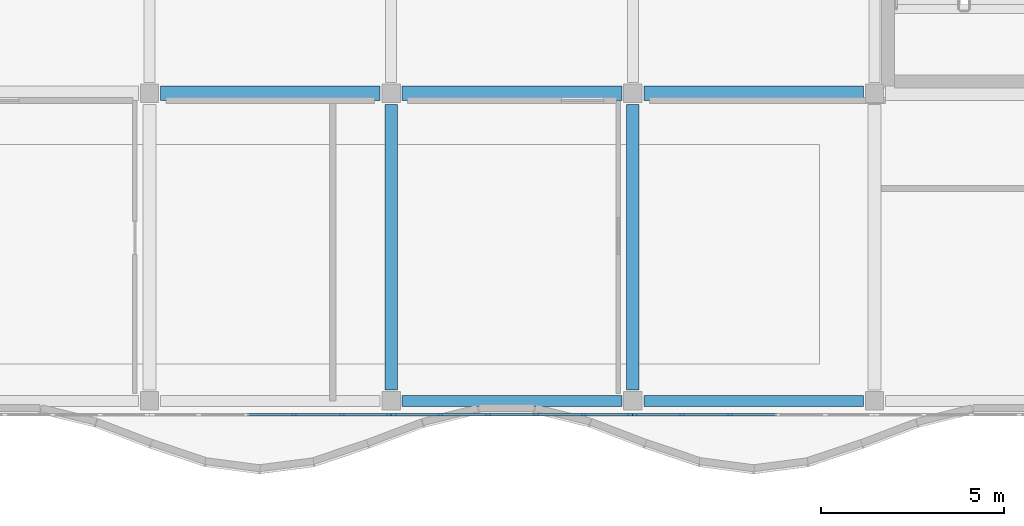
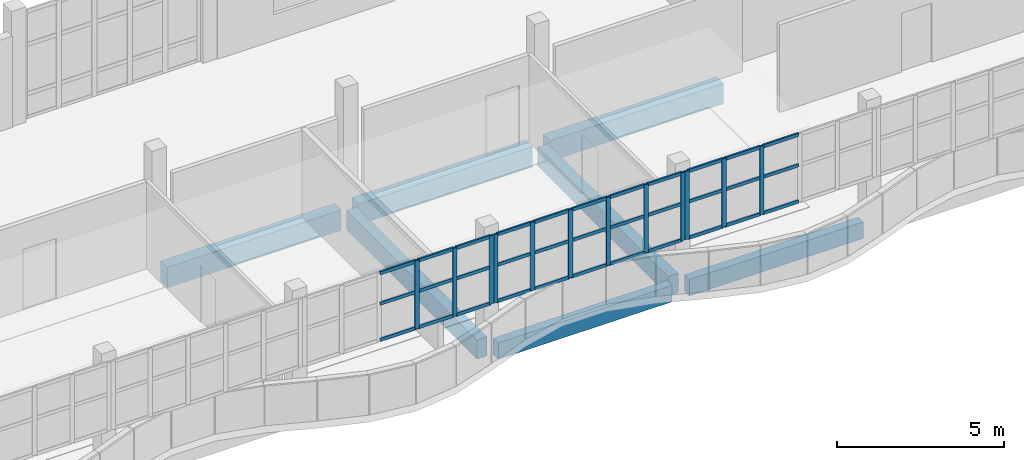
# One storey, part 21 of 78: 45 members, 7 beams, 3 elements without a shape of their own.
"""IFC4 building model written with IfcOpenShell, lengths in metres."""

import ifcopenshell
import ifcopenshell.guid

model = None  # the IFC model being written
_history = None  # IfcOwnerHistory: only IFC2X3 demands one
_inside = {}  # id of a spatial element -> (the spatial element, [elements in it])
_under = {}  # id of a project, library or spatial element -> (it, [spatial elements below it])
_declared = {}  # id of a project -> (the project, [libraries it declares])
_typed = {}  # id of a type object -> (the type object, [elements of that type])
_made_of = {}  # id of a material, layer set ... -> (it, [elements and type objects made of it])


def new_model(schema):
    """Start an empty IFC model of exactly this schema.

    Asked for "IFC4X3", IfcOpenShell would pick the latest addendum, in which some entities
    have other attributes; the version numbers below select the first issue.
    IFC2X3 requires an IfcOwnerHistory on every rooted entity: one is made here for all.
    """
    global model, _history
    if schema == "IFC4X3":
        model = ifcopenshell.file(schema_version=(4, 3, 0, 0))
    else:
        model = ifcopenshell.file(schema=schema)
    _inside.clear()
    _under.clear()
    _declared.clear()
    _typed.clear()
    _made_of.clear()
    _history = None
    if model.schema == "IFC2X3":
        org = make("IfcOrganization", Name="unknown")
        user = make(
            "IfcPersonAndOrganization",
            ThePerson=make("IfcPerson", FamilyName="unknown"),
            TheOrganization=org,
        )
        app = make(
            "IfcApplication",
            ApplicationDeveloper=org,
            Version="unknown",
            ApplicationFullName="unknown",
            ApplicationIdentifier="unknown",
        )
        _history = make(
            "IfcOwnerHistory",
            OwningUser=user,
            OwningApplication=app,
            ChangeAction="ADDED",
            CreationDate=0,
        )
    return model


def make(cls, **values):
    """One entity of the class cls with the attributes given. An attribute that is None is left unset."""
    return model.create_entity(
        cls, **{name: value for name, value in values.items() if value is not None}
    )


def rooted(cls, **values):
    """An entity with a GlobalId (a new one), such as an element, a storey or a relation."""
    return make(cls, GlobalId=ifcopenshell.guid.new(), OwnerHistory=_history, **values)


def si_unit(unit_type, name, prefix=None):
    """IfcSIUnit, for example si_unit("LENGTHUNIT", "METRE", prefix="MILLI")."""
    return make("IfcSIUnit", UnitType=unit_type, Prefix=prefix, Name=name)


def assignment(units):
    """IfcUnitAssignment: the units of a project."""
    return None if units is None else make("IfcUnitAssignment", Units=units)


def point(xyz):
    """IfcCartesianPoint."""
    return None if xyz is None else make("IfcCartesianPoint", Coordinates=xyz)


def direction(xyz):
    """IfcDirection."""
    return None if xyz is None else make("IfcDirection", DirectionRatios=xyz)


def frame(location, z_axis=None, x_axis=None):
    """IfcAxis2Placement3D, a coordinate frame: its origin and axes. An axis left out is left unset."""
    return make(
        "IfcAxis2Placement3D",
        Location=point(location),
        Axis=direction(z_axis),
        RefDirection=direction(x_axis),
    )


def frame_2d(location, x_axis=None):
    """IfcAxis2Placement2D, a coordinate frame in the plane: its origin and x axis."""
    return make(
        "IfcAxis2Placement2D", Location=point(location), RefDirection=direction(x_axis)
    )


def origin():
    """The frame at (0, 0, 0) with its axes left unset."""
    return frame((0.0, 0.0, 0.0))


def origin_2d():
    """The frame at (0, 0) in the plane with its x axis left unset."""
    return frame_2d((0.0, 0.0))


def place(relative_to, where):
    """IfcLocalPlacement: puts the frame where relative to a parent placement (None: the world)."""
    return make(
        "IfcLocalPlacement", PlacementRelTo=relative_to, RelativePlacement=where
    )


def context(
    kind, dimensions, precision=None, world=None, true_north=None, identifier=None
):
    """IfcGeometricRepresentationContext, for example the 3D "Model" context."""
    return make(
        "IfcGeometricRepresentationContext",
        ContextIdentifier=identifier,
        ContextType=kind,
        CoordinateSpaceDimension=dimensions,
        Precision=precision,
        WorldCoordinateSystem=world,
        TrueNorth=true_north,
    )


def subcontext(parent, identifier, kind, view, scale=None):
    """IfcGeometricRepresentationSubContext, for example "Body" below "Model"."""
    return make(
        "IfcGeometricRepresentationSubContext",
        ContextIdentifier=identifier,
        ContextType=kind,
        ParentContext=parent,
        TargetScale=scale,
        TargetView=view,
    )


def project(units=None, contexts=None):
    """IfcProject with its units and contexts."""
    return rooted(
        "IfcProject",
        Name="project",
        RepresentationContexts=contexts,
        UnitsInContext=assignment(units),
    )


def spatial(cls, under=None, at=None, **own):
    """A site, building, storey or space (cls), placed at a placement, below another one or the project."""
    s = rooted(cls, ObjectPlacement=at, **own)
    if under is not None:
        _under.setdefault(under.id(), (under, []))[1].append(s)
    return s


def profile(cls, at=None, kind="AREA", **sizes):
    """A parametric profile (cls). Its sizes go by their IFC names, for example OverallWidth=200.0."""
    return make(cls, ProfileType=kind, Position=at, **sizes)


def rectangle(**sizes):
    """IfcRectangleProfileDef."""
    return profile("IfcRectangleProfileDef", **sizes)


def extrude(swept, where, along, depth):
    """IfcExtrudedAreaSolid: the profile swept, set in the frame where, extruded along a direction by depth."""
    return make(
        "IfcExtrudedAreaSolid",
        SweptArea=swept,
        Position=where,
        ExtrudedDirection=direction(along),
        Depth=depth,
    )


def shape(context_of_items, identifier, shape_type, items):
    """IfcShapeRepresentation: the items that make up one representation, for example the "Body"."""
    return make(
        "IfcShapeRepresentation",
        ContextOfItems=context_of_items,
        RepresentationIdentifier=identifier,
        RepresentationType=shape_type,
        Items=items,
    )


def material(Name=None, Category=None):
    """IfcMaterial."""
    return make("IfcMaterial", Name=Name, Category=Category)


def material_profile(
    of_material, cross_section, Name=None, Category=None, Priority=None
):
    """IfcMaterialProfile: a cross section and its material."""
    return make(
        "IfcMaterialProfile",
        Name=Name,
        Material=of_material,
        Profile=cross_section,
        Priority=Priority,
        Category=Category,
    )


def profile_set(profiles, Name=None, composite=None):
    """IfcMaterialProfileSet."""
    return make(
        "IfcMaterialProfileSet",
        Name=Name,
        MaterialProfiles=profiles,
        CompositeProfile=composite,
    )


def made_of(thing, what):
    """Note that an element or type object is made of a material, layer set ...; save() writes the relation."""
    if what is not None:
        _made_of.setdefault(what.id(), (what, []))[1].append(thing)
    return thing


def type_object(cls, material=None, **own):
    """A type object (cls), such as IfcWallType, which elements share."""
    return made_of(rooted(cls, **own), material)


def element(
    cls,
    number,
    at=None,
    inside=None,
    cuts=None,
    type_object=None,
    material=None,
    context=None,
    identifier="Body",
    shape_type=None,
    held_by="IfcProductDefinitionShape",
    body=None,
    shapes=None,
    **own,
):
    """One element of the class cls, such as IfcWall. Its Tag is "e" and its number.

    at: its placement. inside: the storey or other place that contains it. cuts: it is an
    opening in that element (IfcRelVoidsElement). A single representation is given by context,
    identifier, shape_type and body (its items); several are given by shapes. held_by: the class
    of the entity that holds the representations. save() writes the other relations.
    """
    e = rooted(cls, Tag="e%d" % number, ObjectPlacement=at, **own)
    if body is not None:
        shapes = [shape(context, identifier, shape_type, body)]
    if shapes is not None:
        e.Representation = make(held_by, Representations=shapes)
    if inside is not None:
        _inside.setdefault(inside.id(), (inside, []))[1].append(e)
    if cuts is not None:
        rooted(
            "IfcRelVoidsElement", RelatingBuildingElement=cuts, RelatedOpeningElement=e
        )
    if type_object is not None:
        _typed.setdefault(type_object.id(), (type_object, []))[1].append(e)
    return made_of(e, material)


def aggregate(whole, parts):
    """IfcRelAggregates: a whole, such as a stair, and the parts it consists of."""
    return rooted("IfcRelAggregates", RelatingObject=whole, RelatedObjects=parts)


def save(model, path):
    """Write the relations noted so far, then the file.

    IfcRelAggregates (storeys below a building ...), IfcRelContainedInSpatialStructure (elements
    in a storey), IfcRelDefinesByType, IfcRelAssociatesMaterial and IfcRelDeclares: one each for
    every whole, place, type object, material and project.
    """
    for whole, parts in _under.values():
        aggregate(whole, parts)
    for where, things in _inside.values():
        rooted(
            "IfcRelContainedInSpatialStructure",
            RelatedElements=things,
            RelatingStructure=where,
        )
    for kind, things in _typed.values():
        rooted("IfcRelDefinesByType", RelatedObjects=things, RelatingType=kind)
    for what, things in _made_of.values():
        rooted("IfcRelAssociatesMaterial", RelatedObjects=things, RelatingMaterial=what)
    for by, libraries in _declared.values():
        rooted("IfcRelDeclares", RelatingContext=by, RelatedDefinitions=libraries)
    model.write(path)


model = new_model("IFC4")

# Units and contexts
model_context = context("Model", 3, precision=1e-05, world=origin(), true_north=direction((0.0, 1.0)))
body_context = subcontext(model_context, "Body", "Model", "MODEL_VIEW")
ifc_project = project(units=[si_unit("LENGTHUNIT", "METRE"), si_unit("AREAUNIT", "SQUARE_METRE"), si_unit("VOLUMEUNIT", "CUBIC_METRE"), si_unit("PLANEANGLEUNIT", "RADIAN"), si_unit("MASSUNIT", "GRAM", prefix="KILO")], contexts=[model_context])

# Site, building, storey
site_placement = place(None, origin())
site = spatial("IfcSite", under=ifc_project, at=site_placement, CompositionType="ELEMENT")
building_placement = place(site_placement, origin())
building = spatial("IfcBuilding", under=site, at=building_placement, Name="Qaldarim Faculty of Natural and Applied Sciences", CompositionType="ELEMENT")
storey_placement = place(building_placement, frame((0.0, 0.0, 18.60009765625)))
storey = spatial("IfcBuildingStorey", under=building, at=storey_placement, Name="L04", CompositionType="ELEMENT", Elevation=18.60009765625)

# Beams
ifc_material_1 = material(Name="Concrete C50/60", Category="concrete")
ifc_material_profile_1 = material_profile(ifc_material_1, rectangle(XDim=0.39990234375, YDim=0.75, at=origin_2d()), Name="RC-B400x750")
ifc_profile_set_1 = profile_set([ifc_material_profile_1], Name="Concrete C50/60")
beam_type_1 = type_object("IfcBeamType", Name="LabGirder-RC400x750", PredefinedType="BEAM", material=ifc_profile_set_1)
for number, where, z_axis, x_axis, name in (
    (1, (79.5, 109.199951171875, -0.635009765625), (1.0, 0.0, 0.0), (0.0, 1.0, 0.0), "Beam RC-B400x750 L03 X13-X14/Y14"),
    (2, (86.10009765625, 109.199951171875, -0.635009765625), (1.0, 0.0, 0.0), (0.0, 1.0, 0.0), "Beam RC-B400x750 L03 X14-X15/Y14"),
    (3, (92.699951171875, 109.199951171875, -0.635009765625), (1.0, 0.0, 0.0), (0.0, 1.0, 0.0), "Beam RC-B400x750 L03 X15-X16/Y14"),
):
    element("IfcBeam", number, at=place(storey_placement, frame(where, z_axis=z_axis, x_axis=x_axis)), inside=storey, type_object=beam_type_1, Name=name, PredefinedType="BEAM", context=body_context, shape_type="SweptSolid", body=[
        extrude(rectangle(XDim=0.39990234375, YDim=0.75, at=origin_2d()), origin(), (0.0, 0.0, 1.0), 6.0),
    ])

# Curtain wall, members
ifc_material_2 = material(Name="Anodised aluminium AW-6063", Category="aluminium")
curtain_wall_type = type_object("IfcCurtainWallType", Name="CurtainWallSystem-M1400", PredefinedType="USERDEFINED", material=ifc_material_2)
curtain_wall_1_placement = place(storey_placement, origin())
curtain_wall_1 = element("IfcCurtainWall", 4, at=curtain_wall_1_placement, inside=storey, type_object=curtain_wall_type, Name="Curtain wall CW-V4RIB-L04-X13", ObjectType="STICK CURTAIN WALL", PredefinedType="USERDEFINED")
ifc_material_profile_2 = material_profile(ifc_material_2, rectangle(XDim=0.06005859375, YDim=0.14990234375, at=origin_2d()), Name="ALU-M60x150")
ifc_profile_set_2 = profile_set([ifc_material_profile_2], Name="Anodised aluminium AW-6063")
member_type_1 = type_object("IfcMemberType", Name="Mullion-ALU60x150", PredefinedType="MULLION", material=ifc_profile_set_2)
member_1_placement = place(storey_placement, frame((83.152099609375, 100.419921875, 1.449951171875), z_axis=(0.0, 0.0, 1.0), x_axis=(0.0, 1.0, 0.0)))
member_1 = element("IfcMember", 5, at=member_1_placement, type_object=member_type_1, Name="Mullion 4 of CW-V4RIB-L04-X13", PredefinedType="MULLION", context=body_context, shape_type="SweptSolid", body=[
    extrude(rectangle(XDim=0.06005859375, YDim=0.14990234375, at=origin_2d()), origin(), (0.0, 0.0, 1.0), 2.489990234375),
])
member_2_placement = place(storey_placement, frame((84.4560546875, 100.419921875, 1.449951171875), z_axis=(0.0, 0.0, 1.0), x_axis=(0.0, 1.0, 0.0)))
member_2 = element("IfcMember", 6, at=member_2_placement, type_object=member_type_1, Name="Mullion 5 of CW-V4RIB-L04-X13", PredefinedType="MULLION", context=body_context, shape_type="SweptSolid", body=[
    extrude(rectangle(XDim=0.06005859375, YDim=0.14990234375, at=origin_2d()), origin(), (0.0, 0.0, 1.0), 2.489990234375),
])
member_3_placement = place(storey_placement, frame((85.72998046875, 100.419921875, 1.449951171875), z_axis=(0.0, 0.0, 1.0), x_axis=(0.0, 1.0, 0.0)))
member_3 = element("IfcMember", 7, at=member_3_placement, type_object=member_type_1, Name="Mullion 6 of CW-V4RIB-L04-X13", PredefinedType="MULLION", context=body_context, shape_type="SweptSolid", body=[
    extrude(rectangle(XDim=0.06005859375, YDim=0.14990234375, at=origin_2d()), origin(), (0.0, 0.0, 1.0), 2.489990234375),
])

curtain_wall_2_placement = place(storey_placement, origin())
curtain_wall_2 = element("IfcCurtainWall", 8, at=curtain_wall_2_placement, inside=storey, type_object=curtain_wall_type, Name="Curtain wall CW-V4RIB-L04-X14", ObjectType="STICK CURTAIN WALL", PredefinedType="USERDEFINED")
member_4_placement = place(storey_placement, frame((85.8701171875, 100.419921875, 1.449951171875), z_axis=(0.0, 0.0, 1.0), x_axis=(0.0, 1.0, 0.0)))
member_4 = element("IfcMember", 9, at=member_4_placement, type_object=member_type_1, Name="Mullion 1 of CW-V4RIB-L04-X14", PredefinedType="MULLION", context=body_context, shape_type="SweptSolid", body=[
    extrude(rectangle(XDim=0.06005859375, YDim=0.14990234375, at=origin_2d()), origin(), (0.0, 0.0, 1.0), 2.489990234375),
])
member_5_placement = place(storey_placement, frame((87.14404296875, 100.419921875, 1.449951171875), z_axis=(0.0, 0.0, 1.0), x_axis=(0.0, 1.0, 0.0)))
member_5 = element("IfcMember", 10, at=member_5_placement, type_object=member_type_1, Name="Mullion 2 of CW-V4RIB-L04-X14", PredefinedType="MULLION", context=body_context, shape_type="SweptSolid", body=[
    extrude(rectangle(XDim=0.06005859375, YDim=0.14990234375, at=origin_2d()), origin(), (0.0, 0.0, 1.0), 2.489990234375),
])
member_6_placement = place(storey_placement, frame((88.447998046875, 100.419921875, 1.449951171875), z_axis=(0.0, 0.0, 1.0), x_axis=(0.0, 1.0, 0.0)))
member_6 = element("IfcMember", 11, at=member_6_placement, type_object=member_type_1, Name="Mullion 3 of CW-V4RIB-L04-X14", PredefinedType="MULLION", context=body_context, shape_type="SweptSolid", body=[
    extrude(rectangle(XDim=0.06005859375, YDim=0.14990234375, at=origin_2d()), origin(), (0.0, 0.0, 1.0), 2.489990234375),
])
member_7_placement = place(storey_placement, frame((89.751953125, 100.419921875, 1.449951171875), z_axis=(0.0, 0.0, 1.0), x_axis=(0.0, 1.0, 0.0)))
member_7 = element("IfcMember", 12, at=member_7_placement, type_object=member_type_1, Name="Mullion 4 of CW-V4RIB-L04-X14", PredefinedType="MULLION", context=body_context, shape_type="SweptSolid", body=[
    extrude(rectangle(XDim=0.06005859375, YDim=0.14990234375, at=origin_2d()), origin(), (0.0, 0.0, 1.0), 2.489990234375),
])
member_8_placement = place(storey_placement, frame((91.055908203125, 100.419921875, 1.449951171875), z_axis=(0.0, 0.0, 1.0), x_axis=(0.0, 1.0, 0.0)))
member_8 = element("IfcMember", 13, at=member_8_placement, type_object=member_type_1, Name="Mullion 5 of CW-V4RIB-L04-X14", PredefinedType="MULLION", context=body_context, shape_type="SweptSolid", body=[
    extrude(rectangle(XDim=0.06005859375, YDim=0.14990234375, at=origin_2d()), origin(), (0.0, 0.0, 1.0), 2.489990234375),
])
member_9_placement = place(storey_placement, frame((92.330078125, 100.419921875, 1.449951171875), z_axis=(0.0, 0.0, 1.0), x_axis=(0.0, 1.0, 0.0)))
member_9 = element("IfcMember", 14, at=member_9_placement, type_object=member_type_1, Name="Mullion 6 of CW-V4RIB-L04-X14", PredefinedType="MULLION", context=body_context, shape_type="SweptSolid", body=[
    extrude(rectangle(XDim=0.06005859375, YDim=0.14990234375, at=origin_2d()), origin(), (0.0, 0.0, 1.0), 2.489990234375),
])

curtain_wall_3_placement = place(storey_placement, origin())
curtain_wall_3 = element("IfcCurtainWall", 15, at=curtain_wall_3_placement, inside=storey, type_object=curtain_wall_type, Name="Curtain wall CW-V4RIB-L04-X15", ObjectType="STICK CURTAIN WALL", PredefinedType="USERDEFINED")
member_10_placement = place(storey_placement, frame((92.469970703125, 100.419921875, 1.449951171875), z_axis=(0.0, 0.0, 1.0), x_axis=(0.0, 1.0, 0.0)))
member_10 = element("IfcMember", 16, at=member_10_placement, type_object=member_type_1, Name="Mullion 1 of CW-V4RIB-L04-X15", PredefinedType="MULLION", context=body_context, shape_type="SweptSolid", body=[
    extrude(rectangle(XDim=0.06005859375, YDim=0.14990234375, at=origin_2d()), origin(), (0.0, 0.0, 1.0), 2.489990234375),
])
member_11_placement = place(storey_placement, frame((93.743896484375, 100.419921875, 1.449951171875), z_axis=(0.0, 0.0, 1.0), x_axis=(0.0, 1.0, 0.0)))
member_11 = element("IfcMember", 17, at=member_11_placement, type_object=member_type_1, Name="Mullion 2 of CW-V4RIB-L04-X15", PredefinedType="MULLION", context=body_context, shape_type="SweptSolid", body=[
    extrude(rectangle(XDim=0.06005859375, YDim=0.14990234375, at=origin_2d()), origin(), (0.0, 0.0, 1.0), 2.489990234375),
])
member_12_placement = place(storey_placement, frame((95.048095703125, 100.419921875, 1.449951171875), z_axis=(0.0, 0.0, 1.0), x_axis=(0.0, 1.0, 0.0)))
member_12 = element("IfcMember", 18, at=member_12_placement, type_object=member_type_1, Name="Mullion 3 of CW-V4RIB-L04-X15", PredefinedType="MULLION", context=body_context, shape_type="SweptSolid", body=[
    extrude(rectangle(XDim=0.06005859375, YDim=0.14990234375, at=origin_2d()), origin(), (0.0, 0.0, 1.0), 2.489990234375),
])

# Beams
ifc_material_3 = material(Name="Concrete C40/50", Category="concrete")
ifc_material_profile_3 = material_profile(ifc_material_3, rectangle(XDim=0.35009765625, YDim=0.699951171875, at=origin_2d()), Name="RC-B350x700")
ifc_profile_set_3 = profile_set([ifc_material_profile_3], Name="Concrete C40/50")
beam_type_2 = type_object("IfcBeamType", Name="PrimaryGirder-RC350x700", PredefinedType="BEAM", material=ifc_profile_set_3)
for number, where, z_axis, x_axis, name in (
    (19, (85.800048828125, 101.10009765625, -0.610107421875), (0.0, 1.0, 0.0), (-1.0, 0.0, 0.0), "Beam RC-B350x700 L03 X14/Y13-Y14"),
    (20, (92.39990234375, 101.10009765625, -0.610107421875), (0.0, 1.0, 0.0), (-1.0, 0.0, 0.0), "Beam RC-B350x700 L03 X15/Y13-Y14"),
):
    element("IfcBeam", number, at=place(storey_placement, frame(where, z_axis=z_axis, x_axis=x_axis)), inside=storey, type_object=beam_type_2, Name=name, PredefinedType="BEAM", context=body_context, shape_type="SweptSolid", body=[
        extrude(rectangle(XDim=0.35009765625, YDim=0.699951171875, at=origin_2d()), origin(), (0.0, 0.0, 1.0), 7.7998046875),
    ])
ifc_material_4 = material(Name="Precast concrete C40/50", Category="concrete")
ifc_material_profile_4 = material_profile(ifc_material_4, rectangle(XDim=0.300048828125, YDim=0.60009765625, at=origin_2d()), Name="RC-SP300x600")
ifc_profile_set_4 = profile_set([ifc_material_profile_4], Name="Precast concrete C40/50")
beam_type_3 = type_object("IfcBeamType", Name="SpandrelBeam-RC300x600", PredefinedType="SPANDREL", material=ifc_profile_set_4)
for number, where, z_axis, x_axis, name in (
    (21, (86.10009765625, 100.800048828125, -0.56005859375), (1.0, 0.0, 0.0), (0.0, 1.0, 0.0), "Beam RC-SP300x600 L03 X14-X15/Y13"),
    (22, (92.699951171875, 100.800048828125, -0.56005859375), (1.0, 0.0, 0.0), (0.0, 1.0, 0.0), "Beam RC-SP300x600 L03 X15-X16/Y13"),
):
    element("IfcBeam", number, at=place(storey_placement, frame(where, z_axis=z_axis, x_axis=x_axis)), inside=storey, type_object=beam_type_3, Name=name, PredefinedType="SPANDREL", context=body_context, shape_type="SweptSolid", body=[
        extrude(rectangle(XDim=0.300048828125, YDim=0.60009765625, at=origin_2d()), origin(), (0.0, 0.0, 1.0), 6.0),
    ])

# Member
ifc_material_profile_5 = material_profile(ifc_material_2, rectangle(XDim=0.06005859375, YDim=0.1201171875, at=origin_2d()), Name="ALU-T60x120")
ifc_profile_set_5 = profile_set([ifc_material_profile_5], Name="Anodised aluminium AW-6063")
member_type_2 = type_object("IfcMemberType", Name="Transom-ALU60x120", PredefinedType="USERDEFINED", material=ifc_profile_set_5)
member_13_placement = place(storey_placement, frame((81.8779296875, 100.419921875, 1.47998046875), z_axis=(1.0, 0.0, 0.0), x_axis=(0.0, 1.0, 0.0)))
member_13 = element("IfcMember", 23, at=member_13_placement, type_object=member_type_2, Name="Transom 3-1 of CW-V4RIB-L04-X13", ObjectType="TRANSOM", PredefinedType="USERDEFINED", context=body_context, shape_type="SweptSolid", body=[
    extrude(rectangle(XDim=0.06005859375, YDim=0.1201171875, at=origin_2d()), origin(), (0.0, 0.0, 1.0), 1.244140625),
])

member_14_placement = place(storey_placement, frame((81.8779296875, 100.419921875, 2.7998046875), z_axis=(1.0, 0.0, 0.0), x_axis=(0.0, 1.0, 0.0)))
member_14 = element("IfcMember", 24, at=member_14_placement, type_object=member_type_2, Name="Transom 3-2 of CW-V4RIB-L04-X13", ObjectType="TRANSOM", PredefinedType="USERDEFINED", context=body_context, shape_type="SweptSolid", body=[
    extrude(rectangle(XDim=0.06005859375, YDim=0.1201171875, at=origin_2d()), origin(), (0.0, 0.0, 1.0), 1.244140625),
])

member_15_placement = place(storey_placement, frame((81.8779296875, 100.419921875, 3.909912109375), z_axis=(1.0, 0.0, 0.0), x_axis=(0.0, 1.0, 0.0)))
member_15 = element("IfcMember", 25, at=member_15_placement, type_object=member_type_2, Name="Transom 3-3 of CW-V4RIB-L04-X13", ObjectType="TRANSOM", PredefinedType="USERDEFINED", context=body_context, shape_type="SweptSolid", body=[
    extrude(rectangle(XDim=0.06005859375, YDim=0.1201171875, at=origin_2d()), origin(), (0.0, 0.0, 1.0), 1.244140625),
])

member_16_placement = place(storey_placement, frame((83.181884765625, 100.419921875, 1.47998046875), z_axis=(1.0, 0.0, 0.0), x_axis=(0.0, 1.0, 0.0)))
member_16 = element("IfcMember", 26, at=member_16_placement, type_object=member_type_2, Name="Transom 4-1 of CW-V4RIB-L04-X13", ObjectType="TRANSOM", PredefinedType="USERDEFINED", context=body_context, shape_type="SweptSolid", body=[
    extrude(rectangle(XDim=0.06005859375, YDim=0.1201171875, at=origin_2d()), origin(), (0.0, 0.0, 1.0), 1.244140625),
])

member_17_placement = place(storey_placement, frame((83.181884765625, 100.419921875, 2.7998046875), z_axis=(1.0, 0.0, 0.0), x_axis=(0.0, 1.0, 0.0)))
member_17 = element("IfcMember", 27, at=member_17_placement, type_object=member_type_2, Name="Transom 4-2 of CW-V4RIB-L04-X13", ObjectType="TRANSOM", PredefinedType="USERDEFINED", context=body_context, shape_type="SweptSolid", body=[
    extrude(rectangle(XDim=0.06005859375, YDim=0.1201171875, at=origin_2d()), origin(), (0.0, 0.0, 1.0), 1.244140625),
])

member_18_placement = place(storey_placement, frame((83.181884765625, 100.419921875, 3.909912109375), z_axis=(1.0, 0.0, 0.0), x_axis=(0.0, 1.0, 0.0)))
member_18 = element("IfcMember", 28, at=member_18_placement, type_object=member_type_2, Name="Transom 4-3 of CW-V4RIB-L04-X13", ObjectType="TRANSOM", PredefinedType="USERDEFINED", context=body_context, shape_type="SweptSolid", body=[
    extrude(rectangle(XDim=0.06005859375, YDim=0.1201171875, at=origin_2d()), origin(), (0.0, 0.0, 1.0), 1.244140625),
])

member_19_placement = place(storey_placement, frame((84.486083984375, 100.419921875, 1.47998046875), z_axis=(1.0, 0.0, 0.0), x_axis=(0.0, 1.0, 0.0)))
member_19 = element("IfcMember", 29, at=member_19_placement, type_object=member_type_2, Name="Transom 5-1 of CW-V4RIB-L04-X13", ObjectType="TRANSOM", PredefinedType="USERDEFINED", context=body_context, shape_type="SweptSolid", body=[
    extrude(rectangle(XDim=0.06005859375, YDim=0.1201171875, at=origin_2d()), origin(), (0.0, 0.0, 1.0), 1.2138671875),
])

member_20_placement = place(storey_placement, frame((84.486083984375, 100.419921875, 2.7998046875), z_axis=(1.0, 0.0, 0.0), x_axis=(0.0, 1.0, 0.0)))
member_20 = element("IfcMember", 30, at=member_20_placement, type_object=member_type_2, Name="Transom 5-2 of CW-V4RIB-L04-X13", ObjectType="TRANSOM", PredefinedType="USERDEFINED", context=body_context, shape_type="SweptSolid", body=[
    extrude(rectangle(XDim=0.06005859375, YDim=0.1201171875, at=origin_2d()), origin(), (0.0, 0.0, 1.0), 1.2138671875),
])

member_21_placement = place(storey_placement, frame((84.486083984375, 100.419921875, 3.909912109375), z_axis=(1.0, 0.0, 0.0), x_axis=(0.0, 1.0, 0.0)))
member_21 = element("IfcMember", 31, at=member_21_placement, type_object=member_type_2, Name="Transom 5-3 of CW-V4RIB-L04-X13", ObjectType="TRANSOM", PredefinedType="USERDEFINED", context=body_context, shape_type="SweptSolid", body=[
    extrude(rectangle(XDim=0.06005859375, YDim=0.1201171875, at=origin_2d()), origin(), (0.0, 0.0, 1.0), 1.2138671875),
])

aggregate(curtain_wall_1, [member_1, member_2, member_3, member_13, member_14, member_15, member_16, member_17, member_18, member_19, member_20, member_21])

member_22_placement = place(storey_placement, frame((85.89990234375, 100.419921875, 1.47998046875), z_axis=(1.0, 0.0, 0.0), x_axis=(0.0, 1.0, 0.0)))
member_22 = element("IfcMember", 32, at=member_22_placement, type_object=member_type_2, Name="Transom 1-1 of CW-V4RIB-L04-X14", ObjectType="TRANSOM", PredefinedType="USERDEFINED", context=body_context, shape_type="SweptSolid", body=[
    extrude(rectangle(XDim=0.06005859375, YDim=0.1201171875, at=origin_2d()), origin(), (0.0, 0.0, 1.0), 1.214111328125),
])

member_23_placement = place(storey_placement, frame((85.89990234375, 100.419921875, 2.7998046875), z_axis=(1.0, 0.0, 0.0), x_axis=(0.0, 1.0, 0.0)))
member_23 = element("IfcMember", 33, at=member_23_placement, type_object=member_type_2, Name="Transom 1-2 of CW-V4RIB-L04-X14", ObjectType="TRANSOM", PredefinedType="USERDEFINED", context=body_context, shape_type="SweptSolid", body=[
    extrude(rectangle(XDim=0.06005859375, YDim=0.1201171875, at=origin_2d()), origin(), (0.0, 0.0, 1.0), 1.214111328125),
])

member_24_placement = place(storey_placement, frame((85.89990234375, 100.419921875, 3.909912109375), z_axis=(1.0, 0.0, 0.0), x_axis=(0.0, 1.0, 0.0)))
member_24 = element("IfcMember", 34, at=member_24_placement, type_object=member_type_2, Name="Transom 1-3 of CW-V4RIB-L04-X14", ObjectType="TRANSOM", PredefinedType="USERDEFINED", context=body_context, shape_type="SweptSolid", body=[
    extrude(rectangle(XDim=0.06005859375, YDim=0.1201171875, at=origin_2d()), origin(), (0.0, 0.0, 1.0), 1.214111328125),
])

member_25_placement = place(storey_placement, frame((87.174072265625, 100.419921875, 1.47998046875), z_axis=(1.0, 0.0, 0.0), x_axis=(0.0, 1.0, 0.0)))
member_25 = element("IfcMember", 35, at=member_25_placement, type_object=member_type_2, Name="Transom 2-1 of CW-V4RIB-L04-X14", ObjectType="TRANSOM", PredefinedType="USERDEFINED", context=body_context, shape_type="SweptSolid", body=[
    extrude(rectangle(XDim=0.06005859375, YDim=0.1201171875, at=origin_2d()), origin(), (0.0, 0.0, 1.0), 1.243896484375),
])

member_26_placement = place(storey_placement, frame((87.174072265625, 100.419921875, 2.7998046875), z_axis=(1.0, 0.0, 0.0), x_axis=(0.0, 1.0, 0.0)))
member_26 = element("IfcMember", 36, at=member_26_placement, type_object=member_type_2, Name="Transom 2-2 of CW-V4RIB-L04-X14", ObjectType="TRANSOM", PredefinedType="USERDEFINED", context=body_context, shape_type="SweptSolid", body=[
    extrude(rectangle(XDim=0.06005859375, YDim=0.1201171875, at=origin_2d()), origin(), (0.0, 0.0, 1.0), 1.243896484375),
])

member_27_placement = place(storey_placement, frame((87.174072265625, 100.419921875, 3.909912109375), z_axis=(1.0, 0.0, 0.0), x_axis=(0.0, 1.0, 0.0)))
member_27 = element("IfcMember", 37, at=member_27_placement, type_object=member_type_2, Name="Transom 2-3 of CW-V4RIB-L04-X14", ObjectType="TRANSOM", PredefinedType="USERDEFINED", context=body_context, shape_type="SweptSolid", body=[
    extrude(rectangle(XDim=0.06005859375, YDim=0.1201171875, at=origin_2d()), origin(), (0.0, 0.0, 1.0), 1.243896484375),
])

member_28_placement = place(storey_placement, frame((88.47802734375, 100.419921875, 1.47998046875), z_axis=(1.0, 0.0, 0.0), x_axis=(0.0, 1.0, 0.0)))
member_28 = element("IfcMember", 38, at=member_28_placement, type_object=member_type_2, Name="Transom 3-1 of CW-V4RIB-L04-X14", ObjectType="TRANSOM", PredefinedType="USERDEFINED", context=body_context, shape_type="SweptSolid", body=[
    extrude(rectangle(XDim=0.06005859375, YDim=0.1201171875, at=origin_2d()), origin(), (0.0, 0.0, 1.0), 1.243896484375),
])

member_29_placement = place(storey_placement, frame((88.47802734375, 100.419921875, 2.7998046875), z_axis=(1.0, 0.0, 0.0), x_axis=(0.0, 1.0, 0.0)))
member_29 = element("IfcMember", 39, at=member_29_placement, type_object=member_type_2, Name="Transom 3-2 of CW-V4RIB-L04-X14", ObjectType="TRANSOM", PredefinedType="USERDEFINED", context=body_context, shape_type="SweptSolid", body=[
    extrude(rectangle(XDim=0.06005859375, YDim=0.1201171875, at=origin_2d()), origin(), (0.0, 0.0, 1.0), 1.243896484375),
])

member_30_placement = place(storey_placement, frame((88.47802734375, 100.419921875, 3.909912109375), z_axis=(1.0, 0.0, 0.0), x_axis=(0.0, 1.0, 0.0)))
member_30 = element("IfcMember", 40, at=member_30_placement, type_object=member_type_2, Name="Transom 3-3 of CW-V4RIB-L04-X14", ObjectType="TRANSOM", PredefinedType="USERDEFINED", context=body_context, shape_type="SweptSolid", body=[
    extrude(rectangle(XDim=0.06005859375, YDim=0.1201171875, at=origin_2d()), origin(), (0.0, 0.0, 1.0), 1.243896484375),
])

member_31_placement = place(storey_placement, frame((89.781982421875, 100.419921875, 1.47998046875), z_axis=(1.0, 0.0, 0.0), x_axis=(0.0, 1.0, 0.0)))
member_31 = element("IfcMember", 41, at=member_31_placement, type_object=member_type_2, Name="Transom 4-1 of CW-V4RIB-L04-X14", ObjectType="TRANSOM", PredefinedType="USERDEFINED", context=body_context, shape_type="SweptSolid", body=[
    extrude(rectangle(XDim=0.06005859375, YDim=0.1201171875, at=origin_2d()), origin(), (0.0, 0.0, 1.0), 1.243896484375),
])

member_32_placement = place(storey_placement, frame((89.781982421875, 100.419921875, 2.7998046875), z_axis=(1.0, 0.0, 0.0), x_axis=(0.0, 1.0, 0.0)))
member_32 = element("IfcMember", 42, at=member_32_placement, type_object=member_type_2, Name="Transom 4-2 of CW-V4RIB-L04-X14", ObjectType="TRANSOM", PredefinedType="USERDEFINED", context=body_context, shape_type="SweptSolid", body=[
    extrude(rectangle(XDim=0.06005859375, YDim=0.1201171875, at=origin_2d()), origin(), (0.0, 0.0, 1.0), 1.243896484375),
])

member_33_placement = place(storey_placement, frame((89.781982421875, 100.419921875, 3.909912109375), z_axis=(1.0, 0.0, 0.0), x_axis=(0.0, 1.0, 0.0)))
member_33 = element("IfcMember", 43, at=member_33_placement, type_object=member_type_2, Name="Transom 4-3 of CW-V4RIB-L04-X14", ObjectType="TRANSOM", PredefinedType="USERDEFINED", context=body_context, shape_type="SweptSolid", body=[
    extrude(rectangle(XDim=0.06005859375, YDim=0.1201171875, at=origin_2d()), origin(), (0.0, 0.0, 1.0), 1.243896484375),
])

member_34_placement = place(storey_placement, frame((91.0859375, 100.419921875, 1.47998046875), z_axis=(1.0, 0.0, 0.0), x_axis=(0.0, 1.0, 0.0)))
member_34 = element("IfcMember", 44, at=member_34_placement, type_object=member_type_2, Name="Transom 5-1 of CW-V4RIB-L04-X14", ObjectType="TRANSOM", PredefinedType="USERDEFINED", context=body_context, shape_type="SweptSolid", body=[
    extrude(rectangle(XDim=0.06005859375, YDim=0.1201171875, at=origin_2d()), origin(), (0.0, 0.0, 1.0), 1.214111328125),
])

member_35_placement = place(storey_placement, frame((91.0859375, 100.419921875, 2.7998046875), z_axis=(1.0, 0.0, 0.0), x_axis=(0.0, 1.0, 0.0)))
member_35 = element("IfcMember", 45, at=member_35_placement, type_object=member_type_2, Name="Transom 5-2 of CW-V4RIB-L04-X14", ObjectType="TRANSOM", PredefinedType="USERDEFINED", context=body_context, shape_type="SweptSolid", body=[
    extrude(rectangle(XDim=0.06005859375, YDim=0.1201171875, at=origin_2d()), origin(), (0.0, 0.0, 1.0), 1.214111328125),
])

member_36_placement = place(storey_placement, frame((91.0859375, 100.419921875, 3.909912109375), z_axis=(1.0, 0.0, 0.0), x_axis=(0.0, 1.0, 0.0)))
member_36 = element("IfcMember", 46, at=member_36_placement, type_object=member_type_2, Name="Transom 5-3 of CW-V4RIB-L04-X14", ObjectType="TRANSOM", PredefinedType="USERDEFINED", context=body_context, shape_type="SweptSolid", body=[
    extrude(rectangle(XDim=0.06005859375, YDim=0.1201171875, at=origin_2d()), origin(), (0.0, 0.0, 1.0), 1.214111328125),
])

aggregate(curtain_wall_2, [member_4, member_5, member_6, member_7, member_8, member_9, member_22, member_23, member_24, member_25, member_26, member_27, member_28, member_29, member_30, member_31, member_32, member_33, member_34, member_35, member_36])

member_37_placement = place(storey_placement, frame((92.5, 100.419921875, 1.47998046875), z_axis=(1.0, 0.0, 0.0), x_axis=(0.0, 1.0, 0.0)))
member_37 = element("IfcMember", 47, at=member_37_placement, type_object=member_type_2, Name="Transom 1-1 of CW-V4RIB-L04-X15", ObjectType="TRANSOM", PredefinedType="USERDEFINED", context=body_context, shape_type="SweptSolid", body=[
    extrude(rectangle(XDim=0.06005859375, YDim=0.1201171875, at=origin_2d()), origin(), (0.0, 0.0, 1.0), 1.214111328125),
])

member_38_placement = place(storey_placement, frame((92.5, 100.419921875, 2.7998046875), z_axis=(1.0, 0.0, 0.0), x_axis=(0.0, 1.0, 0.0)))
member_38 = element("IfcMember", 48, at=member_38_placement, type_object=member_type_2, Name="Transom 1-2 of CW-V4RIB-L04-X15", ObjectType="TRANSOM", PredefinedType="USERDEFINED", context=body_context, shape_type="SweptSolid", body=[
    extrude(rectangle(XDim=0.06005859375, YDim=0.1201171875, at=origin_2d()), origin(), (0.0, 0.0, 1.0), 1.214111328125),
])

member_39_placement = place(storey_placement, frame((92.5, 100.419921875, 3.909912109375), z_axis=(1.0, 0.0, 0.0), x_axis=(0.0, 1.0, 0.0)))
member_39 = element("IfcMember", 49, at=member_39_placement, type_object=member_type_2, Name="Transom 1-3 of CW-V4RIB-L04-X15", ObjectType="TRANSOM", PredefinedType="USERDEFINED", context=body_context, shape_type="SweptSolid", body=[
    extrude(rectangle(XDim=0.06005859375, YDim=0.1201171875, at=origin_2d()), origin(), (0.0, 0.0, 1.0), 1.214111328125),
])

member_40_placement = place(storey_placement, frame((93.77392578125, 100.419921875, 1.47998046875), z_axis=(1.0, 0.0, 0.0), x_axis=(0.0, 1.0, 0.0)))
member_40 = element("IfcMember", 50, at=member_40_placement, type_object=member_type_2, Name="Transom 2-1 of CW-V4RIB-L04-X15", ObjectType="TRANSOM", PredefinedType="USERDEFINED", context=body_context, shape_type="SweptSolid", body=[
    extrude(rectangle(XDim=0.06005859375, YDim=0.1201171875, at=origin_2d()), origin(), (0.0, 0.0, 1.0), 1.244140625),
])

member_41_placement = place(storey_placement, frame((93.77392578125, 100.419921875, 2.7998046875), z_axis=(1.0, 0.0, 0.0), x_axis=(0.0, 1.0, 0.0)))
member_41 = element("IfcMember", 51, at=member_41_placement, type_object=member_type_2, Name="Transom 2-2 of CW-V4RIB-L04-X15", ObjectType="TRANSOM", PredefinedType="USERDEFINED", context=body_context, shape_type="SweptSolid", body=[
    extrude(rectangle(XDim=0.06005859375, YDim=0.1201171875, at=origin_2d()), origin(), (0.0, 0.0, 1.0), 1.244140625),
])

member_42_placement = place(storey_placement, frame((93.77392578125, 100.419921875, 3.909912109375), z_axis=(1.0, 0.0, 0.0), x_axis=(0.0, 1.0, 0.0)))
member_42 = element("IfcMember", 52, at=member_42_placement, type_object=member_type_2, Name="Transom 2-3 of CW-V4RIB-L04-X15", ObjectType="TRANSOM", PredefinedType="USERDEFINED", context=body_context, shape_type="SweptSolid", body=[
    extrude(rectangle(XDim=0.06005859375, YDim=0.1201171875, at=origin_2d()), origin(), (0.0, 0.0, 1.0), 1.244140625),
])

member_43_placement = place(storey_placement, frame((95.077880859375, 100.419921875, 1.47998046875), z_axis=(1.0, 0.0, 0.0), x_axis=(0.0, 1.0, 0.0)))
member_43 = element("IfcMember", 53, at=member_43_placement, type_object=member_type_2, Name="Transom 3-1 of CW-V4RIB-L04-X15", ObjectType="TRANSOM", PredefinedType="USERDEFINED", context=body_context, shape_type="SweptSolid", body=[
    extrude(rectangle(XDim=0.06005859375, YDim=0.1201171875, at=origin_2d()), origin(), (0.0, 0.0, 1.0), 1.244140625),
])

member_44_placement = place(storey_placement, frame((95.077880859375, 100.419921875, 2.7998046875), z_axis=(1.0, 0.0, 0.0), x_axis=(0.0, 1.0, 0.0)))
member_44 = element("IfcMember", 54, at=member_44_placement, type_object=member_type_2, Name="Transom 3-2 of CW-V4RIB-L04-X15", ObjectType="TRANSOM", PredefinedType="USERDEFINED", context=body_context, shape_type="SweptSolid", body=[
    extrude(rectangle(XDim=0.06005859375, YDim=0.1201171875, at=origin_2d()), origin(), (0.0, 0.0, 1.0), 1.244140625),
])

member_45_placement = place(storey_placement, frame((95.077880859375, 100.419921875, 3.909912109375), z_axis=(1.0, 0.0, 0.0), x_axis=(0.0, 1.0, 0.0)))
member_45 = element("IfcMember", 55, at=member_45_placement, type_object=member_type_2, Name="Transom 3-3 of CW-V4RIB-L04-X15", ObjectType="TRANSOM", PredefinedType="USERDEFINED", context=body_context, shape_type="SweptSolid", body=[
    extrude(rectangle(XDim=0.06005859375, YDim=0.1201171875, at=origin_2d()), origin(), (0.0, 0.0, 1.0), 1.244140625),
])

aggregate(curtain_wall_3, [member_10, member_11, member_12, member_37, member_38, member_39, member_40, member_41, member_42, member_43, member_44, member_45])

save(model, "model.ifc")
